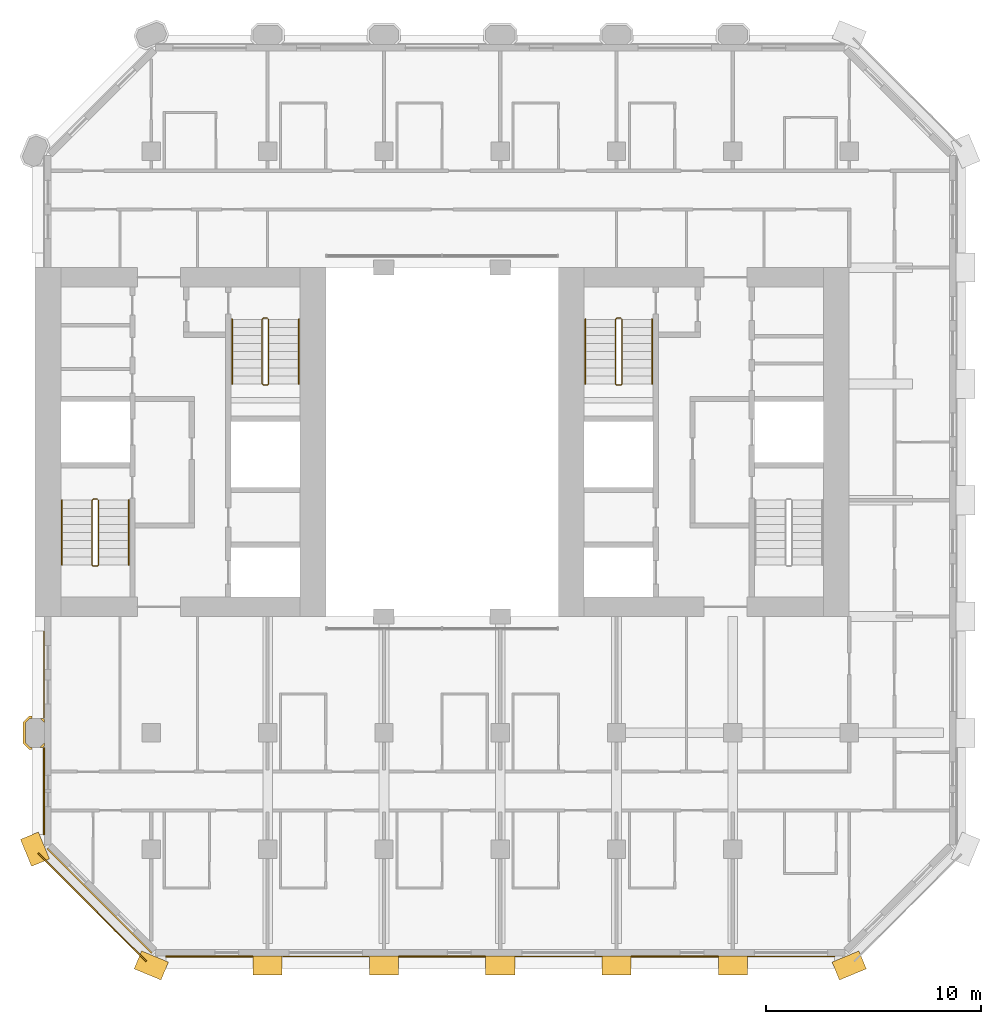
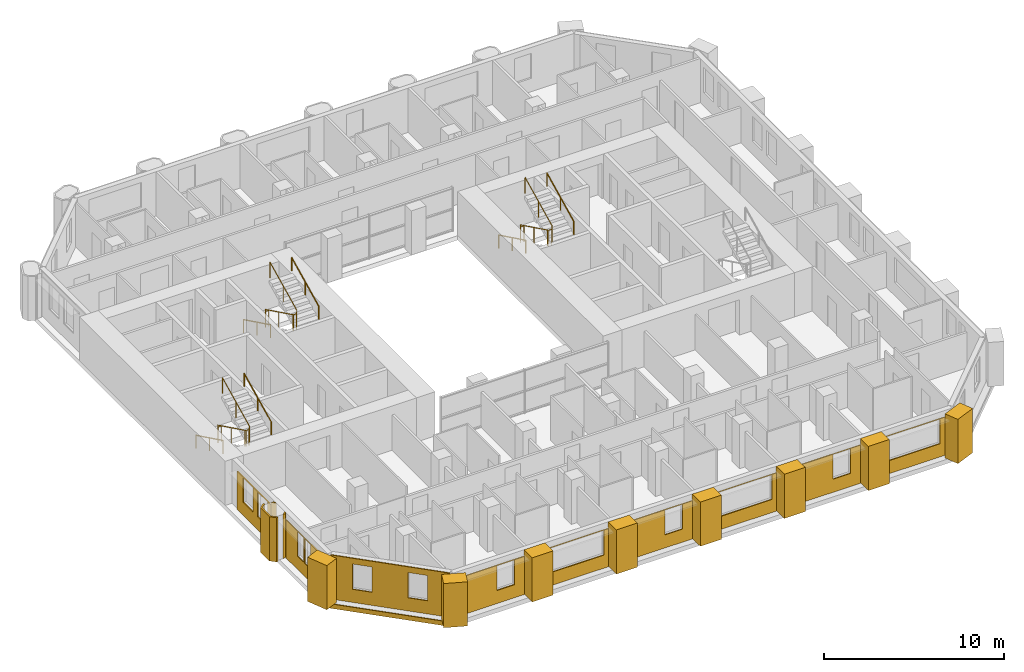
# One storey, part 15 of 16: 21 coverings, 9 railings.
"""IFC4 building model written with IfcOpenShell, lengths in metres."""

from ifc_helpers import new_model, si_unit, direction, frame, frame_2d, origin, origin_2d, place, context, subcontext, project, spatial, polyline, rectangle, circle, outline, extrude, material, layer, layer_set, type_object, element, save


model = new_model("IFC4")

# Units and contexts
model_context = context("Model", 3, precision=1e-05, world=origin(), true_north=direction((0.0, 1.0)))
body_context = subcontext(model_context, "Body", "Model", "MODEL_VIEW")
ifc_project = project(units=[si_unit("LENGTHUNIT", "METRE"), si_unit("AREAUNIT", "SQUARE_METRE"), si_unit("VOLUMEUNIT", "CUBIC_METRE"), si_unit("PLANEANGLEUNIT", "RADIAN"), si_unit("MASSUNIT", "GRAM", prefix="KILO")], contexts=[model_context])

# Site, building, storey
site_placement = place(None, origin())
site = spatial("IfcSite", under=ifc_project, at=site_placement, CompositionType="ELEMENT")
building_placement = place(site_placement, origin())
building = spatial("IfcBuilding", under=site, at=building_placement, Name="Tabaq Tower and Sports Hall", CompositionType="ELEMENT")
storey_placement = place(building_placement, frame((0.0, 0.0, 156.10009765625)))
storey = spatial("IfcBuildingStorey", under=building, at=storey_placement, Name="L36", CompositionType="ELEMENT", Elevation=156.10009765625)

# Coverings
ifc_material_1 = material(Name="Precast concrete C60/75", Category="concrete")
ifc_layer_1 = layer(ifc_material_1, 0.10009765625)
ifc_layer_set_1 = layer_set([ifc_layer_1], Name="Column cladding 100")
covering_type_1 = type_object("IfcCoveringType", Name="Column cladding 100", PredefinedType="CLADDING", material=ifc_layer_set_1)
covering_1_placement = place(storey_placement, origin())
element("IfcCovering", 1, at=covering_1_placement, inside=storey, type_object=covering_type_1, Name="Column cladding L36 PC-2C-H1", PredefinedType="CLADDING", context=body_context, shape_type="SweptSolid", body=[
    extrude(outline(polyline([(5.1337890625, 10.025390625), (4.850341796875, 10.30859375), (4.850341796875, 11.291259765625), (5.1337890625, 11.57470703125), (5.249755859375, 11.57470703125), (5.249755859375, 11.475341796875), (5.1748046875, 11.475341796875), (4.94970703125, 11.250244140625), (4.94970703125, 10.349853515625), (5.1748046875, 10.124755859375), (5.249755859375, 10.124755859375), (5.249755859375, 10.025390625), (5.1337890625, 10.025390625)])), origin(), (0.0, 0.0, 1.0), 3.0),
])
covering_2_placement = place(storey_placement, origin())
element("IfcCovering", 2, at=covering_2_placement, inside=storey, type_object=covering_type_1, Name="Column cladding L36 PC-2C-H1 2", PredefinedType="CLADDING", context=body_context, shape_type="SweptSolid", body=[
    extrude(outline(polyline([(5.766357421875, 10.125244140625), (5.625732421875, 10.125244140625), (5.849609375, 10.349365234375), (5.849609375, 10.208740234375), (5.766357421875, 10.125244140625)])), origin(), (0.0, 0.0, 1.0), 3.0),
])
covering_3_placement = place(storey_placement, origin())
element("IfcCovering", 3, at=covering_3_placement, inside=storey, type_object=covering_type_1, Name="Column cladding L36 PC-2C-H1 3", PredefinedType="CLADDING", context=body_context, shape_type="SweptSolid", body=[
    extrude(outline(polyline([(5.849609375, 11.391357421875), (5.849609375, 11.250732421875), (5.625732421875, 11.474609375), (5.766357421875, 11.474609375), (5.849609375, 11.391357421875)])), origin(), (0.0, 0.0, 1.0), 3.0),
])
ifc_material_2 = material(Name="Precast concrete C60/75", Category="concrete")
ifc_layer_2 = layer(ifc_material_2, 0.06005859375)
ifc_layer_set_2 = layer_set([ifc_layer_2], Name="Edge beam cladding 60")
covering_type_2 = type_object("IfcCoveringType", Name="Edge beam cladding 60", PredefinedType="CLADDING", material=ifc_layer_set_2)
covering_4_placement = place(storey_placement, frame((5.5556640625, 5.201904296875, -0.300048828125), z_axis=(0.0, 0.0, 1.0), x_axis=(0.707106781187, -0.707106781187, 0.0)))
element("IfcCovering", 4, at=covering_4_placement, inside=storey, type_object=covering_type_2, Name="Edge beam cladding L36 5", PredefinedType="CLADDING", context=body_context, shape_type="SweptSolid", body=[
    extrude(rectangle(XDim=7.087890625, YDim=0.06005859375, at=frame_2d((3.5439453125, 0.0))), origin(), (0.0, 0.0, 1.0), 0.300048828125),
])
ifc_material_3 = material(Name="White precast concrete C60/75", Category="concrete")
covering_type_3 = type_object("IfcCoveringType", Name="Pier cladding hung 1350x900", PredefinedType="CLADDING", material=ifc_material_3)
for number, where, z_axis, x_axis, name in (
    (5, (5.1416015625, 6.023681640625, 0.0), (0.0, 0.0, 1.0), (0.382649923473, -0.923893411637, 0.0), "Hung pier cladding 1/1"),
    (6, (10.17626953125, 0.25830078125, 0.0), (0.0, 0.0, 1.0), (0.923893411637, -0.382649923473, 0.0), "Hung pier cladding 2/0"),
    (7, (15.52490234375, 0.0, 0.0), (0.0, 0.0, 1.0), (1.0, 0.0, 0.0), "Hung pier cladding 3/0"),
):
    element("IfcCovering", number, at=place(storey_placement, frame(where, z_axis=z_axis, x_axis=x_axis)), inside=storey, type_object=covering_type_3, Name=name, PredefinedType="CLADDING", context=body_context, shape_type="SweptSolid", body=[
        extrude(rectangle(XDim=1.35009765625, YDim=0.89990234375, at=frame_2d((0.675048828125, 0.0))), origin(), (0.0, 0.0, 1.0), 3.0),
    ])
covering_5_placement = place(storey_placement, frame((20.925048828125, 0.0, 0.0), z_axis=(0.0, 0.0, 1.0), x_axis=(1.0, 0.0, 0.0)))
element("IfcCovering", 8, at=covering_5_placement, inside=storey, type_object=covering_type_3, Name="Hung pier cladding 4/0", PredefinedType="CLADDING", context=body_context, shape_type="SweptSolid", body=[
    extrude(rectangle(XDim=1.349853515625, YDim=0.89990234375, at=frame_2d((0.6748046875, 0.0))), origin(), (0.0, 0.0, 1.0), 3.0),
])
covering_6_placement = place(storey_placement, frame((26.324951171875, 0.0, 0.0), z_axis=(0.0, 0.0, 1.0), x_axis=(1.0, 0.0, 0.0)))
element("IfcCovering", 9, at=covering_6_placement, inside=storey, type_object=covering_type_3, Name="Hung pier cladding 5/0", PredefinedType="CLADDING", context=body_context, shape_type="SweptSolid", body=[
    extrude(rectangle(XDim=1.35009765625, YDim=0.89990234375, at=frame_2d((0.675048828125, 0.0))), origin(), (0.0, 0.0, 1.0), 3.0),
])
covering_7_placement = place(storey_placement, frame((31.72509765625, 0.0, 0.0), z_axis=(0.0, 0.0, 1.0), x_axis=(1.0, 0.0, 0.0)))
element("IfcCovering", 10, at=covering_7_placement, inside=storey, type_object=covering_type_3, Name="Hung pier cladding 6/0", PredefinedType="CLADDING", context=body_context, shape_type="SweptSolid", body=[
    extrude(rectangle(XDim=1.349853515625, YDim=0.89990234375, at=frame_2d((0.6748046875, 0.0))), origin(), (0.0, 0.0, 1.0), 3.0),
])
for number, where, z_axis, x_axis, name in (
    (11, (37.125, 0.0, 0.0), (0.0, 0.0, 1.0), (1.0, 0.0, 0.0), "Hung pier cladding 7/0"),
    (12, (42.576416015625, -0.25830078125, 0.0), (0.0, 0.0, 1.0), (0.923893411637, 0.382649923473, 0.0), "Hung pier cladding 8/0"),
):
    element("IfcCovering", number, at=place(storey_placement, frame(where, z_axis=z_axis, x_axis=x_axis)), inside=storey, type_object=covering_type_3, Name=name, PredefinedType="CLADDING", context=body_context, shape_type="SweptSolid", body=[
        extrude(rectangle(XDim=1.35009765625, YDim=0.89990234375, at=frame_2d((0.675048828125, 0.0))), origin(), (0.0, 0.0, 1.0), 3.0),
    ])

# Railings
ifc_material_4 = material(Name="Stainless steel", Category="steel")
railing_type_1 = type_object("IfcRailingType", Name="Stair guard", PredefinedType="GUARDRAIL", material=ifc_material_4)
railing_1_placement = place(storey_placement, frame((8.300048828125, 21.64990234375, 0.0)))
element("IfcRailing", 13, at=railing_1_placement, inside=storey, type_object=railing_type_1, Name="L36 ST1 stair guard 1", PredefinedType="GUARDRAIL", context=body_context, shape_type="SweptSolid", body=[
    extrude(circle(Radius=0.02392578125, at=origin_2d()), frame((0.0, 0.0, 1.076171875), z_axis=(-1.0, 0.0, 0.0), x_axis=(0.0, -1.0, 0.0)), (0.0, 0.0, 1.0), 0.199951171875),
    extrude(circle(Radius=0.02392578125, at=origin_2d()), frame((-0.199951171875, 0.0, 1.076171875), z_axis=(-0.254733673405, -0.25349107012, 0.933195066962), x_axis=(0.705375805398, -0.708833529934, 0.0)), (0.0, 0.0, 1.0), 0.196533203125),
    extrude(circle(Radius=0.02392578125, at=origin_2d()), frame((-0.25, -0.0498046875, 1.25927734375), z_axis=(0.0, -0.898397823093, 0.439182594671), x_axis=(1.0, 0.0, 0.0)), (0.0, 0.0, 1.0), 3.33935546875),
    extrude(circle(Radius=0.02392578125, at=origin_2d()), frame((-0.25, -3.0498046875, 2.72607421875), z_axis=(0.707106781187, -0.707106781187, 0.0), x_axis=(0.707106781187, 0.707106781187, 0.0)), (0.0, 0.0, 1.0), 0.07080078125),
    extrude(circle(Radius=0.02392578125, at=origin_2d()), frame((-0.199951171875, -3.099853515625, 2.72607421875), z_axis=(1.0, 0.0, 0.0), x_axis=(0.0, 1.0, 0.0)), (0.0, 0.0, 1.0), 0.199951171875),
    extrude(circle(Radius=0.02392578125, at=origin_2d()), frame((0.0, -3.099853515625, 2.72607421875), z_axis=(0.254653276557, 0.254653276557, 0.932900539971), x_axis=(-0.707106781187, 0.707106781187, 0.0)), (0.0, 0.0, 1.0), 0.196533203125),
    extrude(circle(Radius=0.02392578125, at=origin_2d()), frame((0.050048828125, -3.0498046875, 2.9091796875), z_axis=(0.0, 0.898397823093, 0.439182594671), x_axis=(-1.0, 0.0, 0.0)), (0.0, 0.0, 1.0), 3.33935546875),
    extrude(circle(Radius=0.02099609375, at=origin_2d()), origin(), (0.0, 0.0, 1.0), 1.052001953125),
    extrude(circle(Radius=0.02099609375, at=origin_2d()), frame((-0.199951171875, 0.0, 0.0)), (0.0, 0.0, 1.0), 1.052001953125),
    extrude(circle(Radius=0.02099609375, at=origin_2d()), frame((-0.25, -0.0498046875, 0.183349609375)), (0.0, 0.0, 1.0), 1.052001953125),
    extrude(circle(Radius=0.02099609375, at=origin_2d()), frame((-0.25, -1.5498046875, 0.91650390625)), (0.0, 0.0, 1.0), 1.052001953125),
    extrude(circle(Radius=0.02099609375, at=origin_2d()), frame((-0.25, -3.0498046875, 1.64990234375)), (0.0, 0.0, 1.0), 1.052001953125),
    extrude(circle(Radius=0.02099609375, at=origin_2d()), frame((-0.199951171875, -3.099853515625, 1.64990234375)), (0.0, 0.0, 1.0), 1.052001953125),
    extrude(circle(Radius=0.02099609375, at=origin_2d()), frame((0.0, -3.099853515625, 1.64990234375)), (0.0, 0.0, 1.0), 1.052001953125),
    extrude(circle(Radius=0.02099609375, at=origin_2d()), frame((0.050048828125, -3.0498046875, 1.833251953125)), (0.0, 0.0, 1.0), 1.052001953125),
    extrude(circle(Radius=0.02099609375, at=origin_2d()), frame((0.050048828125, -1.5498046875, 2.56640625)), (0.0, 0.0, 1.0), 1.052001953125),
    extrude(circle(Radius=0.02099609375, at=origin_2d()), frame((0.050048828125, -0.0498046875, 3.2998046875)), (0.0, 0.0, 1.0), 1.052001953125),
])
railing_2_placement = place(storey_placement, frame((16.199951171875, 30.050048828125, 0.0)))
element("IfcRailing", 14, at=railing_2_placement, inside=storey, type_object=railing_type_1, Name="L36 ST2 stair guard 1", PredefinedType="GUARDRAIL", context=body_context, shape_type="SweptSolid", body=[
    extrude(circle(Radius=0.02392578125, at=origin_2d()), frame((0.0, 0.0, 1.076171875), z_axis=(-1.0, 0.0, 0.0), x_axis=(0.0, -1.0, 0.0)), (0.0, 0.0, 1.0), 0.199951171875),
    extrude(circle(Radius=0.02392578125, at=origin_2d()), frame((-0.199951171875, 0.0, 1.076171875), z_axis=(-0.254653276557, -0.254653276557, 0.932900539971), x_axis=(0.707106781187, -0.707106781187, 0.0)), (0.0, 0.0, 1.0), 0.196533203125),
    extrude(circle(Radius=0.02392578125, at=origin_2d()), frame((-0.25, -0.050048828125, 1.25927734375), z_axis=(0.0, -0.898397823093, 0.439182594671), x_axis=(1.0, 0.0, 0.0)), (0.0, 0.0, 1.0), 3.33935546875),
    extrude(circle(Radius=0.02392578125, at=origin_2d()), frame((-0.25, -3.050048828125, 2.72607421875), z_axis=(0.707106781187, -0.707106781187, 0.0), x_axis=(0.707106781187, 0.707106781187, 0.0)), (0.0, 0.0, 1.0), 0.07080078125),
    extrude(circle(Radius=0.02392578125, at=origin_2d()), frame((-0.199951171875, -3.10009765625, 2.72607421875), z_axis=(1.0, 0.0, 0.0), x_axis=(0.0, 1.0, 0.0)), (0.0, 0.0, 1.0), 0.199951171875),
    extrude(circle(Radius=0.02392578125, at=origin_2d()), frame((0.0, -3.10009765625, 2.72607421875), z_axis=(0.254653276557, 0.254653276557, 0.932900539971), x_axis=(-0.707106781187, 0.707106781187, 0.0)), (0.0, 0.0, 1.0), 0.196533203125),
    extrude(circle(Radius=0.02392578125, at=origin_2d()), frame((0.050048828125, -3.050048828125, 2.9091796875), z_axis=(0.0, 0.898397823093, 0.439182594671), x_axis=(-1.0, 0.0, 0.0)), (0.0, 0.0, 1.0), 3.33935546875),
    extrude(circle(Radius=0.02099609375, at=origin_2d()), origin(), (0.0, 0.0, 1.0), 1.052001953125),
    extrude(circle(Radius=0.02099609375, at=origin_2d()), frame((-0.199951171875, 0.0, 0.0)), (0.0, 0.0, 1.0), 1.052001953125),
    extrude(circle(Radius=0.02099609375, at=origin_2d()), frame((-0.25, -0.050048828125, 0.183349609375)), (0.0, 0.0, 1.0), 1.052001953125),
    extrude(circle(Radius=0.02099609375, at=origin_2d()), frame((-0.25, -1.550048828125, 0.91650390625)), (0.0, 0.0, 1.0), 1.052001953125),
    extrude(circle(Radius=0.02099609375, at=origin_2d()), frame((-0.25, -3.050048828125, 1.64990234375)), (0.0, 0.0, 1.0), 1.052001953125),
    extrude(circle(Radius=0.02099609375, at=origin_2d()), frame((-0.199951171875, -3.10009765625, 1.64990234375)), (0.0, 0.0, 1.0), 1.052001953125),
    extrude(circle(Radius=0.02099609375, at=origin_2d()), frame((0.0, -3.10009765625, 1.64990234375)), (0.0, 0.0, 1.0), 1.052001953125),
    extrude(circle(Radius=0.02099609375, at=origin_2d()), frame((0.050048828125, -3.050048828125, 1.833251953125)), (0.0, 0.0, 1.0), 1.052001953125),
    extrude(circle(Radius=0.02099609375, at=origin_2d()), frame((0.050048828125, -1.550048828125, 2.56640625)), (0.0, 0.0, 1.0), 1.052001953125),
    extrude(circle(Radius=0.02099609375, at=origin_2d()), frame((0.050048828125, -0.050048828125, 3.2998046875)), (0.0, 0.0, 1.0), 1.052001953125),
])
railing_3_placement = place(storey_placement, frame((32.60009765625, 30.050048828125, 0.0)))
element("IfcRailing", 15, at=railing_3_placement, inside=storey, type_object=railing_type_1, Name="L36 ST4 stair guard 1", PredefinedType="GUARDRAIL", context=body_context, shape_type="SweptSolid", body=[
    extrude(circle(Radius=0.02392578125, at=origin_2d()), frame((0.0, 0.0, 1.076171875), z_axis=(-1.0, 0.0, 0.0), x_axis=(0.0, -1.0, 0.0)), (0.0, 0.0, 1.0), 0.2001953125),
    extrude(circle(Radius=0.02392578125, at=origin_2d()), frame((-0.2001953125, 0.0, 1.076171875), z_axis=(-0.25349107012, -0.254733673405, 0.933195066962), x_axis=(0.708833529934, -0.705375805398, 0.0)), (0.0, 0.0, 1.0), 0.196533203125),
    extrude(circle(Radius=0.02392578125, at=origin_2d()), frame((-0.25, -0.050048828125, 1.25927734375), z_axis=(0.0, -0.898397823093, 0.439182594671), x_axis=(1.0, 0.0, 0.0)), (0.0, 0.0, 1.0), 3.33935546875),
    extrude(circle(Radius=0.02392578125, at=origin_2d()), frame((-0.25, -3.050048828125, 2.72607421875), z_axis=(0.705375805398, -0.708833529934, 0.0), x_axis=(0.708833529934, 0.705375805398, 0.0)), (0.0, 0.0, 1.0), 0.070556640625),
    extrude(circle(Radius=0.02392578125, at=origin_2d()), frame((-0.2001953125, -3.10009765625, 2.72607421875), z_axis=(1.0, 0.0, 0.0), x_axis=(0.0, 1.0, 0.0)), (0.0, 0.0, 1.0), 0.2001953125),
    extrude(circle(Radius=0.02392578125, at=origin_2d()), frame((0.0, -3.10009765625, 2.72607421875), z_axis=(0.25349107012, 0.254733673405, 0.933195066962), x_axis=(-0.708833529934, 0.705375805398, 0.0)), (0.0, 0.0, 1.0), 0.196533203125),
    extrude(circle(Radius=0.02392578125, at=origin_2d()), frame((0.0498046875, -3.050048828125, 2.9091796875), z_axis=(0.0, 0.898397823093, 0.439182594671), x_axis=(-1.0, 0.0, 0.0)), (0.0, 0.0, 1.0), 3.33935546875),
    extrude(circle(Radius=0.02099609375, at=origin_2d()), origin(), (0.0, 0.0, 1.0), 1.052001953125),
    extrude(circle(Radius=0.02099609375, at=origin_2d()), frame((-0.2001953125, 0.0, 0.0)), (0.0, 0.0, 1.0), 1.052001953125),
    extrude(circle(Radius=0.02099609375, at=origin_2d()), frame((-0.25, -0.050048828125, 0.183349609375)), (0.0, 0.0, 1.0), 1.052001953125),
    extrude(circle(Radius=0.02099609375, at=origin_2d()), frame((-0.25, -1.550048828125, 0.91650390625)), (0.0, 0.0, 1.0), 1.052001953125),
    extrude(circle(Radius=0.02099609375, at=origin_2d()), frame((-0.25, -3.050048828125, 1.64990234375)), (0.0, 0.0, 1.0), 1.052001953125),
    extrude(circle(Radius=0.02099609375, at=origin_2d()), frame((-0.2001953125, -3.10009765625, 1.64990234375)), (0.0, 0.0, 1.0), 1.052001953125),
    extrude(circle(Radius=0.02099609375, at=origin_2d()), frame((0.0, -3.10009765625, 1.64990234375)), (0.0, 0.0, 1.0), 1.052001953125),
    extrude(circle(Radius=0.02099609375, at=origin_2d()), frame((0.0498046875, -3.050048828125, 1.833251953125)), (0.0, 0.0, 1.0), 1.052001953125),
    extrude(circle(Radius=0.02099609375, at=origin_2d()), frame((0.0498046875, -1.550048828125, 2.56640625)), (0.0, 0.0, 1.0), 1.052001953125),
    extrude(circle(Radius=0.02099609375, at=origin_2d()), frame((0.0498046875, -0.050048828125, 3.2998046875)), (0.0, 0.0, 1.0), 1.052001953125),
])
ifc_material_5 = material(Name="Stainless steel", Category="steel")
railing_type_2 = type_object("IfcRailingType", Name="Stair handrail", PredefinedType="HANDRAIL", material=ifc_material_5)
railing_4_placement = place(storey_placement, frame((6.64990234375, 21.60009765625, 0.183349609375)))
element("IfcRailing", 16, at=railing_4_placement, inside=storey, type_object=railing_type_2, Name="L36 ST1 stair handrail 1", PredefinedType="HANDRAIL", context=body_context, shape_type="SweptSolid", body=[
    extrude(circle(Radius=0.02392578125, at=origin_2d()), frame((0.0, 0.0, 0.8759765625), z_axis=(0.0, -0.898397823093, 0.439182594671), x_axis=(1.0, 0.0, 0.0)), (0.0, 0.0, 1.0), 3.33935546875),
    extrude(circle(Radius=0.02099609375, at=origin_2d()), origin(), (0.0, 0.0, 1.0), 0.851806640625),
    extrude(circle(Radius=0.02099609375, at=origin_2d()), frame((0.0, -1.5, 0.7333984375)), (0.0, 0.0, 1.0), 0.851806640625),
    extrude(circle(Radius=0.02099609375, at=origin_2d()), frame((0.0, -3.0, 1.466552734375)), (0.0, 0.0, 1.0), 0.851806640625),
])
railing_5_placement = place(storey_placement, frame((9.75, 18.60009765625, 1.833251953125)))
element("IfcRailing", 17, at=railing_5_placement, inside=storey, type_object=railing_type_2, Name="L36 ST1 stair handrail 2", PredefinedType="HANDRAIL", context=body_context, shape_type="SweptSolid", body=[
    extrude(circle(Radius=0.02392578125, at=origin_2d()), frame((0.0, 0.0, 0.8759765625), z_axis=(0.0, 0.898397823093, 0.439182594671), x_axis=(-1.0, 0.0, 0.0)), (0.0, 0.0, 1.0), 3.33935546875),
    extrude(circle(Radius=0.02099609375, at=origin_2d()), origin(), (0.0, 0.0, 1.0), 0.851806640625),
    extrude(circle(Radius=0.02099609375, at=origin_2d()), frame((0.0, 1.5, 0.7333984375)), (0.0, 0.0, 1.0), 0.851806640625),
    extrude(circle(Radius=0.02099609375, at=origin_2d()), frame((0.0, 3.0, 1.466552734375)), (0.0, 0.0, 1.0), 0.851806640625),
])
railing_6_placement = place(storey_placement, frame((14.550048828125, 30.0, 0.183349609375)))
element("IfcRailing", 18, at=railing_6_placement, inside=storey, type_object=railing_type_2, Name="L36 ST2 stair handrail 1", PredefinedType="HANDRAIL", context=body_context, shape_type="SweptSolid", body=[
    extrude(circle(Radius=0.02392578125, at=origin_2d()), frame((0.0, 0.0, 0.8759765625), z_axis=(0.0, -0.898397823093, 0.439182594671), x_axis=(1.0, 0.0, 0.0)), (0.0, 0.0, 1.0), 3.33935546875),
    extrude(circle(Radius=0.02099609375, at=origin_2d()), origin(), (0.0, 0.0, 1.0), 0.851806640625),
    extrude(circle(Radius=0.02099609375, at=origin_2d()), frame((0.0, -1.5, 0.7333984375)), (0.0, 0.0, 1.0), 0.851806640625),
    extrude(circle(Radius=0.02099609375, at=origin_2d()), frame((0.0, -3.0, 1.466552734375)), (0.0, 0.0, 1.0), 0.851806640625),
])
railing_7_placement = place(storey_placement, frame((17.64990234375, 27.0, 1.833251953125)))
element("IfcRailing", 19, at=railing_7_placement, inside=storey, type_object=railing_type_2, Name="L36 ST2 stair handrail 2", PredefinedType="HANDRAIL", context=body_context, shape_type="SweptSolid", body=[
    extrude(circle(Radius=0.02392578125, at=origin_2d()), frame((0.0, 0.0, 0.8759765625), z_axis=(0.0, 0.898397823093, 0.439182594671), x_axis=(-1.0, 0.0, 0.0)), (0.0, 0.0, 1.0), 3.33935546875),
    extrude(circle(Radius=0.02099609375, at=origin_2d()), origin(), (0.0, 0.0, 1.0), 0.851806640625),
    extrude(circle(Radius=0.02099609375, at=origin_2d()), frame((0.0, 1.5, 0.7333984375)), (0.0, 0.0, 1.0), 0.851806640625),
    extrude(circle(Radius=0.02099609375, at=origin_2d()), frame((0.0, 3.0, 1.466552734375)), (0.0, 0.0, 1.0), 0.851806640625),
])
railing_8_placement = place(storey_placement, frame((30.949951171875, 30.0, 0.183349609375)))
element("IfcRailing", 20, at=railing_8_placement, inside=storey, type_object=railing_type_2, Name="L36 ST4 stair handrail 1", PredefinedType="HANDRAIL", context=body_context, shape_type="SweptSolid", body=[
    extrude(circle(Radius=0.02392578125, at=origin_2d()), frame((0.0, 0.0, 0.8759765625), z_axis=(0.0, -0.898397823093, 0.439182594671), x_axis=(1.0, 0.0, 0.0)), (0.0, 0.0, 1.0), 3.33935546875),
    extrude(circle(Radius=0.02099609375, at=origin_2d()), origin(), (0.0, 0.0, 1.0), 0.851806640625),
    extrude(circle(Radius=0.02099609375, at=origin_2d()), frame((0.0, -1.5, 0.7333984375)), (0.0, 0.0, 1.0), 0.851806640625),
    extrude(circle(Radius=0.02099609375, at=origin_2d()), frame((0.0, -3.0, 1.466552734375)), (0.0, 0.0, 1.0), 0.851806640625),
])
railing_9_placement = place(storey_placement, frame((34.050048828125, 27.0, 1.833251953125)))
element("IfcRailing", 21, at=railing_9_placement, inside=storey, type_object=railing_type_2, Name="L36 ST4 stair handrail 2", PredefinedType="HANDRAIL", context=body_context, shape_type="SweptSolid", body=[
    extrude(circle(Radius=0.02392578125, at=origin_2d()), frame((0.0, 0.0, 0.8759765625), z_axis=(0.0, 0.898397823093, 0.439182594671), x_axis=(-1.0, 0.0, 0.0)), (0.0, 0.0, 1.0), 3.33935546875),
    extrude(circle(Radius=0.02099609375, at=origin_2d()), origin(), (0.0, 0.0, 1.0), 0.851806640625),
    extrude(circle(Radius=0.02099609375, at=origin_2d()), frame((0.0, 1.5, 0.7333984375)), (0.0, 0.0, 1.0), 0.851806640625),
    extrude(circle(Radius=0.02099609375, at=origin_2d()), frame((0.0, 3.0, 1.466552734375)), (0.0, 0.0, 1.0), 0.851806640625),
])

# Coverings
ifc_material_6 = material(Name="Precast concrete C60/75", Category="concrete")
ifc_layer_3 = layer(ifc_material_6, 0.06005859375)
ifc_layer_set_3 = layer_set([ifc_layer_3], Name="White precast cladding panel 60 C60/75")
covering_type_4 = type_object("IfcCoveringType", Name="White precast cladding panel 60 C60/75", PredefinedType="CLADDING", material=ifc_layer_set_3)
covering_8_placement = place(storey_placement, frame((11.465087890625, 0.419921875, 0.0), z_axis=(0.0, 0.0, 1.0), x_axis=(1.0, 0.0, 0.0)))
element("IfcCovering", 22, at=covering_8_placement, inside=storey, type_object=covering_type_4, Name="White precast cladding panel L36 wall00", PredefinedType="CLADDING", context=body_context, shape_type="SweptSolid", body=[
    extrude(outline(polyline([(0.0, 0.0), (4.0498046875, 0.0), (4.0498046875, 2.58984375), (0.0, 2.58984375), (0.0, 0.0)]), holes=[polyline([(3.39501953125, 0.889892578125), (2.27490234375, 0.889892578125), (2.27490234375, 2.559814453125), (3.39501953125, 2.559814453125), (3.39501953125, 0.889892578125)])]), frame((0.0, 0.030029296875, 0.0), z_axis=(0.0, -1.0, 0.0), x_axis=(1.0, 0.0, 0.0)), (0.0, 0.0, 1.0), 0.06005859375),
])
covering_9_placement = place(storey_placement, frame((16.885009765625, 0.419921875, 0.0), z_axis=(0.0, 0.0, 1.0), x_axis=(1.0, 0.0, 0.0)))
element("IfcCovering", 23, at=covering_9_placement, inside=storey, type_object=covering_type_4, Name="White precast cladding panel L36 wall00 2", PredefinedType="CLADDING", context=body_context, shape_type="SweptSolid", body=[
    extrude(outline(polyline([(0.0, 0.0), (4.030029296875, 0.0), (4.030029296875, 2.58984375), (0.0, 2.58984375), (0.0, 0.0)]), holes=[polyline([(3.72509765625, 0.889892578125), (0.304931640625, 0.889892578125), (0.304931640625, 2.559814453125), (3.72509765625, 2.559814453125), (3.72509765625, 0.889892578125)])]), frame((0.0, 0.030029296875, 0.0), z_axis=(0.0, -1.0, 0.0), x_axis=(1.0, 0.0, 0.0)), (0.0, 0.0, 1.0), 0.06005859375),
])
covering_10_placement = place(storey_placement, frame((22.284912109375, 0.419921875, 0.0), z_axis=(0.0, 0.0, 1.0), x_axis=(1.0, 0.0, 0.0)))
element("IfcCovering", 24, at=covering_10_placement, inside=storey, type_object=covering_type_4, Name="White precast cladding panel L36 wall00 3", PredefinedType="CLADDING", context=body_context, shape_type="SweptSolid", body=[
    extrude(outline(polyline([(0.0, 0.0), (4.030029296875, 0.0), (4.030029296875, 2.58984375), (0.0, 2.58984375), (0.0, 0.0)]), holes=[polyline([(3.375, 0.889892578125), (2.2548828125, 0.889892578125), (2.2548828125, 2.559814453125), (3.375, 2.559814453125), (3.375, 0.889892578125)])]), frame((0.0, 0.030029296875, 0.0), z_axis=(0.0, -1.0, 0.0), x_axis=(1.0, 0.0, 0.0)), (0.0, 0.0, 1.0), 0.06005859375),
])
covering_11_placement = place(storey_placement, frame((27.68505859375, 0.419921875, 0.0), z_axis=(0.0, 0.0, 1.0), x_axis=(1.0, 0.0, 0.0)))
element("IfcCovering", 25, at=covering_11_placement, inside=storey, type_object=covering_type_4, Name="White precast cladding panel L36 wall00 4", PredefinedType="CLADDING", context=body_context, shape_type="SweptSolid", body=[
    extrude(outline(polyline([(0.0, 0.0), (4.030029296875, 0.0), (4.030029296875, 2.58984375), (0.0, 2.58984375), (0.0, 0.0)]), holes=[polyline([(3.72509765625, 0.889892578125), (0.304931640625, 0.889892578125), (0.304931640625, 2.559814453125), (3.72509765625, 2.559814453125), (3.72509765625, 0.889892578125)])]), frame((0.0, 0.030029296875, 0.0), z_axis=(0.0, -1.0, 0.0), x_axis=(1.0, 0.0, 0.0)), (0.0, 0.0, 1.0), 0.06005859375),
])
covering_12_placement = place(storey_placement, frame((33.0849609375, 0.419921875, 0.0), z_axis=(0.0, 0.0, 1.0), x_axis=(1.0, 0.0, 0.0)))
element("IfcCovering", 26, at=covering_12_placement, inside=storey, type_object=covering_type_4, Name="White precast cladding panel L36 wall00 5", PredefinedType="CLADDING", context=body_context, shape_type="SweptSolid", body=[
    extrude(outline(polyline([(0.0, 0.0), (4.030029296875, 0.0), (4.030029296875, 2.58984375), (0.0, 2.58984375), (0.0, 0.0)]), holes=[polyline([(3.375, 0.889892578125), (2.2548828125, 0.889892578125), (2.2548828125, 2.559814453125), (3.375, 2.559814453125), (3.375, 0.889892578125)])]), frame((0.0, 0.030029296875, 0.0), z_axis=(0.0, -1.0, 0.0), x_axis=(1.0, 0.0, 0.0)), (0.0, 0.0, 1.0), 0.06005859375),
])
covering_13_placement = place(storey_placement, frame((38.485107421875, 0.419921875, 0.0), z_axis=(0.0, 0.0, 1.0), x_axis=(1.0, 0.0, 0.0)))
element("IfcCovering", 27, at=covering_13_placement, inside=storey, type_object=covering_type_4, Name="White precast cladding panel L36 wall00 6", PredefinedType="CLADDING", context=body_context, shape_type="SweptSolid", body=[
    extrude(outline(polyline([(0.0, 0.0), (4.0498046875, 0.0), (4.0498046875, 2.58984375), (0.0, 2.58984375), (0.0, 0.0)]), holes=[polyline([(3.72509765625, 0.889892578125), (0.304931640625, 0.889892578125), (0.304931640625, 2.559814453125), (3.72509765625, 2.559814453125), (3.72509765625, 0.889892578125)])]), frame((0.0, 0.030029296875, 0.0), z_axis=(0.0, -1.0, 0.0), x_axis=(1.0, 0.0, 0.0)), (0.0, 0.0, 1.0), 0.06005859375),
])
covering_14_placement = place(storey_placement, frame((5.820068359375, 15.534912109375, 0.0), z_axis=(0.0, 0.0, 1.0), x_axis=(0.0, -1.0, 0.0)))
element("IfcCovering", 28, at=covering_14_placement, inside=storey, type_object=covering_type_4, Name="White precast cladding panel L36 wall06-1", PredefinedType="CLADDING", context=body_context, shape_type="SweptSolid", body=[
    extrude(outline(polyline([(0.0, 0.0), (4.0498046875, 0.0), (4.0498046875, 2.58984375), (0.0, 2.58984375), (0.0, 0.0)]), holes=[polyline([(0.675048828125, 0.889892578125), (0.675048828125, 2.559814453125), (1.794921875, 2.559814453125), (1.794921875, 0.889892578125), (0.675048828125, 0.889892578125)]), polyline([(2.27490234375, 0.889892578125), (2.27490234375, 2.559814453125), (3.39501953125, 2.559814453125), (3.39501953125, 0.889892578125), (2.27490234375, 0.889892578125)])]), frame((0.0, 0.030029296875, 0.0), z_axis=(0.0, -1.0, 0.0), x_axis=(1.0, 0.0, 0.0)), (0.0, 0.0, 1.0), 0.06005859375),
])
covering_15_placement = place(storey_placement, frame((5.820068359375, 10.114990234375, 0.0), z_axis=(0.0, 0.0, 1.0), x_axis=(0.0, -1.0, 0.0)))
element("IfcCovering", 29, at=covering_15_placement, inside=storey, type_object=covering_type_4, Name="White precast cladding panel L36 wall06-1 2", PredefinedType="CLADDING", context=body_context, shape_type="SweptSolid", body=[
    extrude(outline(polyline([(0.0, 0.0), (4.050048828125, 0.0), (4.050048828125, 2.58984375), (0.0, 2.58984375), (0.0, 0.0)]), holes=[polyline([(1.280029296875, 0.889892578125), (1.280029296875, 2.559814453125), (1.949951171875, 2.559814453125), (1.949951171875, 0.889892578125), (1.280029296875, 0.889892578125)]), polyline([(2.080078125, 0.889892578125), (2.080078125, 2.559814453125), (2.75, 2.559814453125), (2.75, 0.889892578125), (2.080078125, 0.889892578125)])]), frame((0.0, 0.030029296875, 0.0), z_axis=(0.0, -1.0, 0.0), x_axis=(1.0, 0.0, 0.0)), (0.0, 0.0, 1.0), 0.06005859375),
])
covering_16_placement = place(storey_placement, frame((5.9716796875, 5.42236328125, 0.0), z_axis=(0.0, 0.0, 1.0), x_axis=(0.707106781187, -0.707106781187, 0.0)))
element("IfcCovering", 30, at=covering_16_placement, inside=storey, type_object=covering_type_4, Name="White precast cladding panel L36 wall07", PredefinedType="CLADDING", context=body_context, shape_type="SweptSolid", body=[
    extrude(outline(polyline([(0.0, 0.0), (6.85986328125, 0.0), (6.85986328125, 3.0), (0.0, 3.0), (0.0, 0.0)]), holes=[polyline([(1.269775390625, 2.60986328125), (2.389892578125, 2.60986328125), (2.389892578125, 0.889892578125), (1.269775390625, 0.889892578125), (1.269775390625, 2.60986328125)]), polyline([(4.4697265625, 2.60986328125), (5.58984375, 2.60986328125), (5.58984375, 0.889892578125), (4.4697265625, 0.889892578125), (4.4697265625, 2.60986328125)])]), frame((0.0, 0.030029296875, 0.0), z_axis=(0.0, -1.0, 0.0), x_axis=(1.0, 0.0, 0.0)), (0.0, 0.0, 1.0), 0.06005859375),
])

save(model, "model.ifc")
